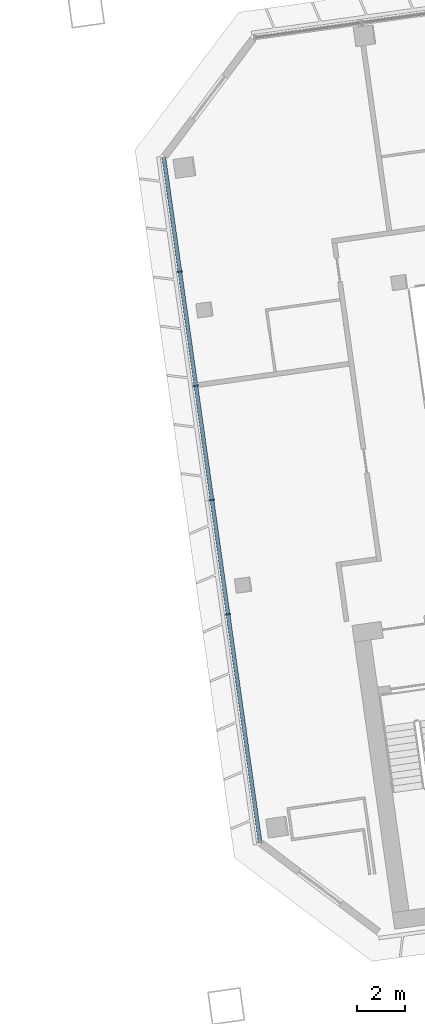
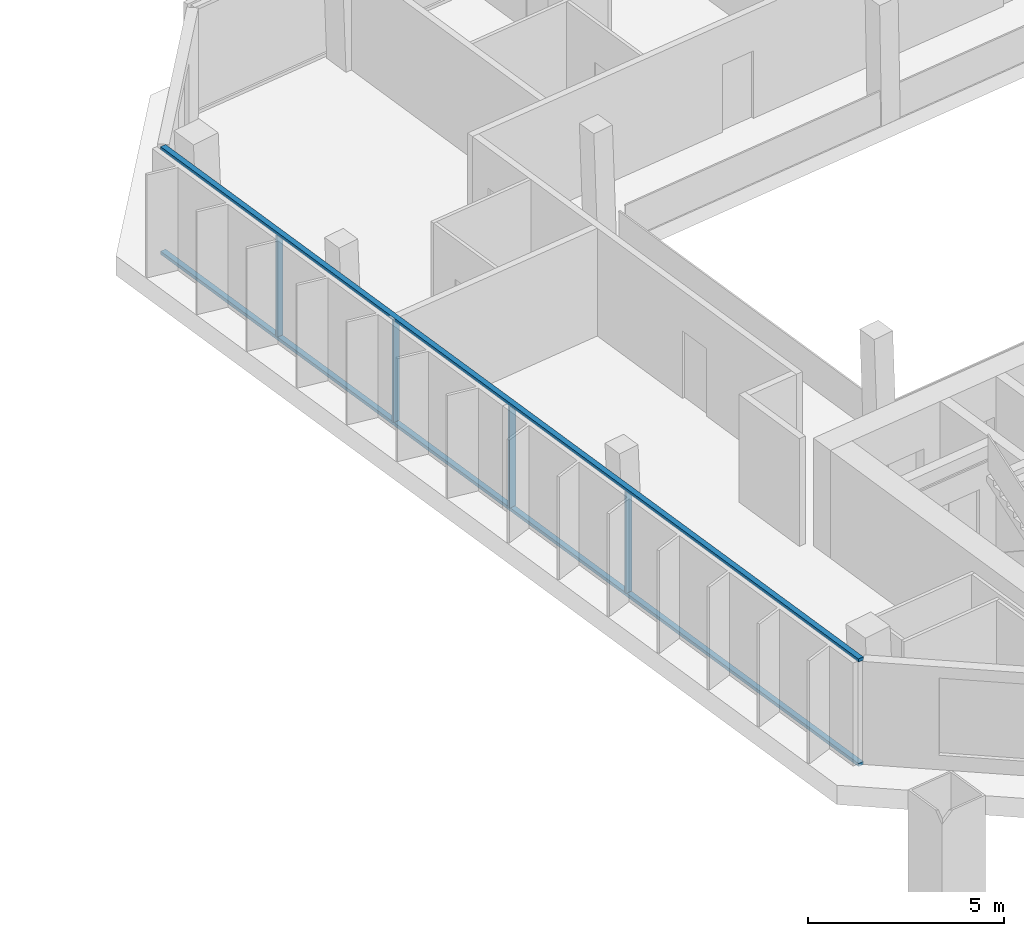
# One storey, part 7 of 25: 6 members, 1 element without a shape of its own.
"""IFC4 building model written with IfcOpenShell, lengths in metres."""

from ifc_helpers import new_model, si_unit, direction, frame, origin, origin_2d, place, context, subcontext, project, spatial, rectangle, extrude, material, material_profile, profile_set, type_object, element, aggregate, save


model = new_model("IFC4")

# Units and contexts
model_context = context("Model", 3, precision=1e-05, world=origin(), true_north=direction((0.0, 1.0)))
body_context = subcontext(model_context, "Body", "Model", "MODEL_VIEW")
ifc_project = project(units=[si_unit("LENGTHUNIT", "METRE"), si_unit("AREAUNIT", "SQUARE_METRE"), si_unit("VOLUMEUNIT", "CUBIC_METRE"), si_unit("PLANEANGLEUNIT", "RADIAN"), si_unit("MASSUNIT", "GRAM", prefix="KILO")], contexts=[model_context])

# Site, building, storey
site_placement = place(None, origin())
site = spatial("IfcSite", under=ifc_project, at=site_placement, CompositionType="ELEMENT")
building_placement = place(site_placement, origin())
building = spatial("IfcBuilding", under=site, at=building_placement, Name="Mirante Cascada Hotel Towers", CompositionType="ELEMENT")
storey_placement = place(building_placement, frame((0.0, 0.0, 172.6)))
storey = spatial("IfcBuildingStorey", under=building, at=storey_placement, Name="L40", CompositionType="ELEMENT", Elevation=172.6)

# Curtain wall, members
ifc_material_1 = material(Name="Aluminium mullion and transom frame with clear laminated glass", Category="aluminium")
curtain_wall_type = type_object("IfcCurtainWallType", Name="End ribbon curtain wall ECW2", PredefinedType="NOTDEFINED", material=ifc_material_1)
curtain_wall_placement = place(storey_placement, origin())
curtain_wall = element("IfcCurtainWall", 1, at=curtain_wall_placement, inside=storey, type_object=curtain_wall_type, Name="Inner end wall T2 L40", PredefinedType="NOTDEFINED")
ifc_material_2 = material(Name="Anodised aluminium extrusion", Category="aluminium")
ifc_material_profile_1 = material_profile(ifc_material_2, rectangle(XDim=0.2, YDim=0.065, at=origin_2d()), Name="ECW2 MULLION 65x200")
ifc_profile_set_1 = profile_set([ifc_material_profile_1], Name="Anodised aluminium extrusion")
member_type_1 = type_object("IfcMemberType", Name="ECW2 mullion 65x200", PredefinedType="MULLION", material=ifc_profile_set_1)
member_1_placement = place(storey_placement, frame((28.3071, 7.4819, 0.1), z_axis=(0.0, 0.0, 1.0), x_axis=(0.9902681, 0.1391731, 0.0)))
member_1 = element("IfcMember", 2, at=member_1_placement, type_object=member_type_1, Name="ECW2 mullion 2", PredefinedType="MULLION", context=body_context, shape_type="SweptSolid", body=[
    extrude(rectangle(XDim=0.2, YDim=0.065, at=origin_2d()), origin(), (0.0, 0.0, 1.0), 3.15),
])
member_2_placement = place(storey_placement, frame((28.9769, 2.7161, 0.1), z_axis=(0.0, 0.0, 1.0), x_axis=(0.9902681, 0.1391731, 0.0)))
member_2 = element("IfcMember", 3, at=member_2_placement, type_object=member_type_1, Name="ECW2 mullion 3", PredefinedType="MULLION", context=body_context, shape_type="SweptSolid", body=[
    extrude(rectangle(XDim=0.2, YDim=0.065, at=origin_2d()), origin(), (0.0, 0.0, 1.0), 3.15),
])
member_3_placement = place(storey_placement, frame((29.6467, -2.0497, 0.1), z_axis=(0.0, 0.0, 1.0), x_axis=(0.9902681, 0.1391731, 0.0)))
member_3 = element("IfcMember", 4, at=member_3_placement, type_object=member_type_1, Name="ECW2 mullion 4", PredefinedType="MULLION", context=body_context, shape_type="SweptSolid", body=[
    extrude(rectangle(XDim=0.2, YDim=0.065, at=origin_2d()), origin(), (0.0, 0.0, 1.0), 3.15),
])
member_4_placement = place(storey_placement, frame((30.3165, -6.8154, 0.1), z_axis=(0.0, 0.0, 1.0), x_axis=(0.9902681, 0.1391731, 0.0)))
member_4 = element("IfcMember", 5, at=member_4_placement, type_object=member_type_1, Name="ECW2 mullion 5", PredefinedType="MULLION", context=body_context, shape_type="SweptSolid", body=[
    extrude(rectangle(XDim=0.2, YDim=0.065, at=origin_2d()), origin(), (0.0, 0.0, 1.0), 3.15),
])
ifc_material_3 = material(Name="Anodised aluminium extrusion", Category="aluminium")
ifc_material_profile_2 = material_profile(ifc_material_3, rectangle(XDim=0.16, YDim=0.1, at=origin_2d()), Name="ECW2 TRANSOM 100x160")
ifc_profile_set_2 = profile_set([ifc_material_profile_2], Name="Anodised aluminium extrusion")
member_type_2 = type_object("IfcMemberType", Name="ECW2 transom 100x160", PredefinedType="USERDEFINED", material=ifc_profile_set_2)
member_5_placement = place(storey_placement, frame((27.6373, 12.2477, 0.05), z_axis=(0.1391757, -0.9902677, 0.0), x_axis=(0.9902677, 0.1391757, 0.0)))
member_5 = element("IfcMember", 6, at=member_5_placement, type_object=member_type_2, Name="ECW2 sill transom", ObjectType="TRANSOM", PredefinedType="USERDEFINED", context=body_context, shape_type="SweptSolid", body=[
    extrude(rectangle(XDim=0.16, YDim=0.1, at=origin_2d()), origin(), (0.0, 0.0, 1.0), 28.8757),
])
member_6_placement = place(storey_placement, frame((27.6373, 12.2477, 3.3), z_axis=(0.1391757, -0.9902677, 0.0), x_axis=(0.9902677, 0.1391757, 0.0)))
member_6 = element("IfcMember", 7, at=member_6_placement, type_object=member_type_2, Name="ECW2 head transom", ObjectType="TRANSOM", PredefinedType="USERDEFINED", context=body_context, shape_type="SweptSolid", body=[
    extrude(rectangle(XDim=0.16, YDim=0.1, at=origin_2d()), origin(), (0.0, 0.0, 1.0), 28.8757),
])
aggregate(curtain_wall, [member_5, member_6, member_1, member_2, member_3, member_4])

save(model, "model.ifc")
